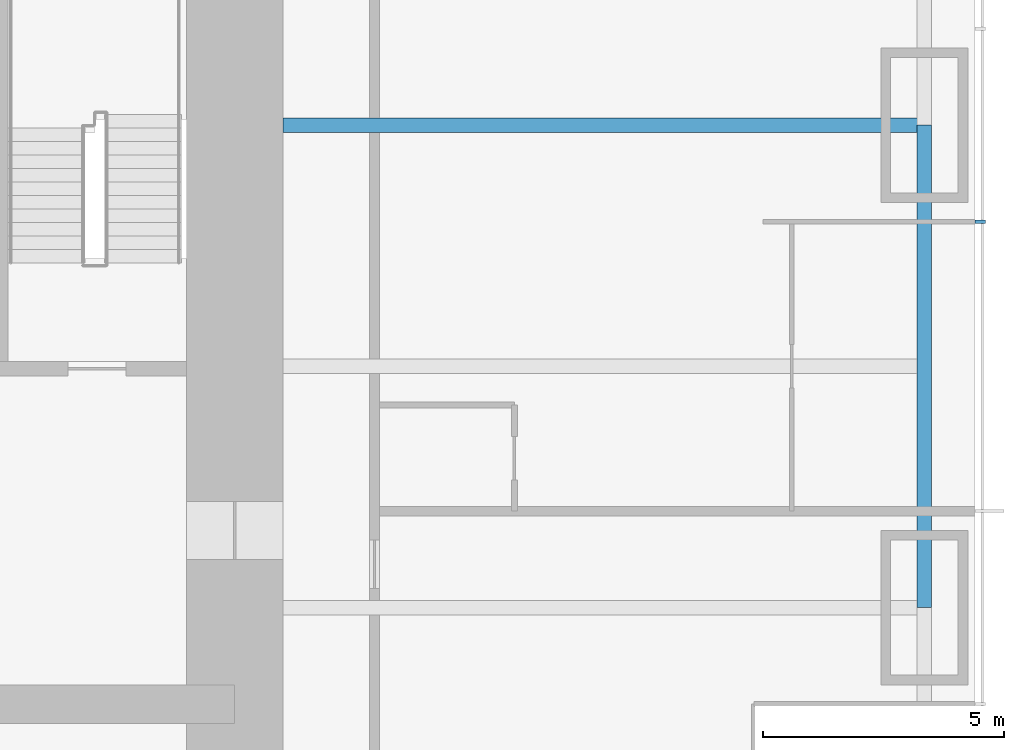
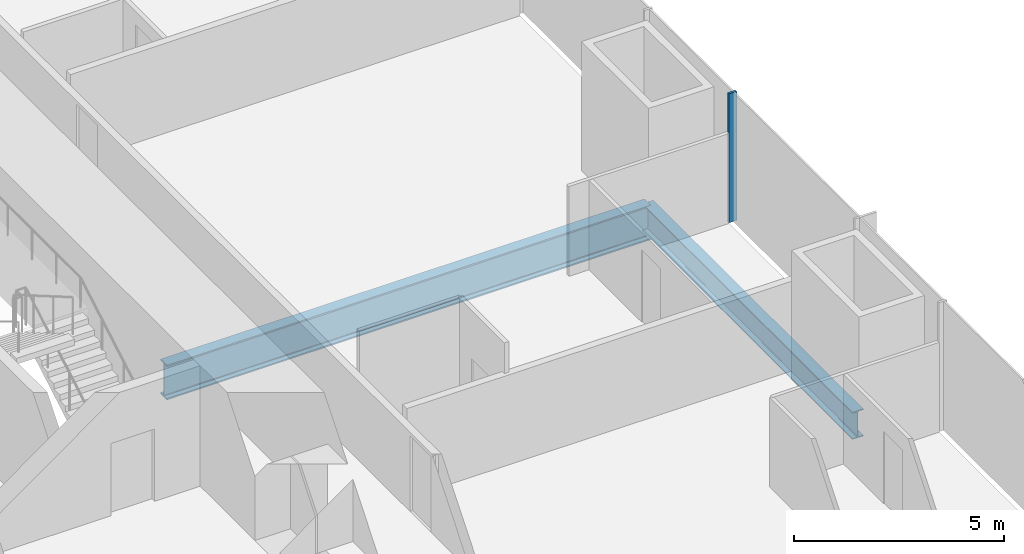
# One storey, part 5 of 17: 2 beams, 1 member, 1 element without a shape of its own.
"""IFC4 building model written with IfcOpenShell, lengths in metres."""

import ifcopenshell
import ifcopenshell.guid

model = None  # the IFC model being written
_history = None  # IfcOwnerHistory: only IFC2X3 demands one
_inside = {}  # id of a spatial element -> (the spatial element, [elements in it])
_under = {}  # id of a project, library or spatial element -> (it, [spatial elements below it])
_declared = {}  # id of a project -> (the project, [libraries it declares])
_typed = {}  # id of a type object -> (the type object, [elements of that type])
_made_of = {}  # id of a material, layer set ... -> (it, [elements and type objects made of it])


def new_model(schema):
    """Start an empty IFC model of exactly this schema.

    Asked for "IFC4X3", IfcOpenShell would pick the latest addendum, in which some entities
    have other attributes; the version numbers below select the first issue.
    IFC2X3 requires an IfcOwnerHistory on every rooted entity: one is made here for all.
    """
    global model, _history
    if schema == "IFC4X3":
        model = ifcopenshell.file(schema_version=(4, 3, 0, 0))
    else:
        model = ifcopenshell.file(schema=schema)
    _inside.clear()
    _under.clear()
    _declared.clear()
    _typed.clear()
    _made_of.clear()
    _history = None
    if model.schema == "IFC2X3":
        org = make("IfcOrganization", Name="unknown")
        user = make(
            "IfcPersonAndOrganization",
            ThePerson=make("IfcPerson", FamilyName="unknown"),
            TheOrganization=org,
        )
        app = make(
            "IfcApplication",
            ApplicationDeveloper=org,
            Version="unknown",
            ApplicationFullName="unknown",
            ApplicationIdentifier="unknown",
        )
        _history = make(
            "IfcOwnerHistory",
            OwningUser=user,
            OwningApplication=app,
            ChangeAction="ADDED",
            CreationDate=0,
        )
    return model


def make(cls, **values):
    """One entity of the class cls with the attributes given. An attribute that is None is left unset."""
    return model.create_entity(
        cls, **{name: value for name, value in values.items() if value is not None}
    )


def rooted(cls, **values):
    """An entity with a GlobalId (a new one), such as an element, a storey or a relation."""
    return make(cls, GlobalId=ifcopenshell.guid.new(), OwnerHistory=_history, **values)


def si_unit(unit_type, name, prefix=None):
    """IfcSIUnit, for example si_unit("LENGTHUNIT", "METRE", prefix="MILLI")."""
    return make("IfcSIUnit", UnitType=unit_type, Prefix=prefix, Name=name)


def assignment(units):
    """IfcUnitAssignment: the units of a project."""
    return None if units is None else make("IfcUnitAssignment", Units=units)


def point(xyz):
    """IfcCartesianPoint."""
    return None if xyz is None else make("IfcCartesianPoint", Coordinates=xyz)


def direction(xyz):
    """IfcDirection."""
    return None if xyz is None else make("IfcDirection", DirectionRatios=xyz)


def frame(location, z_axis=None, x_axis=None):
    """IfcAxis2Placement3D, a coordinate frame: its origin and axes. An axis left out is left unset."""
    return make(
        "IfcAxis2Placement3D",
        Location=point(location),
        Axis=direction(z_axis),
        RefDirection=direction(x_axis),
    )


def frame_2d(location, x_axis=None):
    """IfcAxis2Placement2D, a coordinate frame in the plane: its origin and x axis."""
    return make(
        "IfcAxis2Placement2D", Location=point(location), RefDirection=direction(x_axis)
    )


def origin():
    """The frame at (0, 0, 0) with its axes left unset."""
    return frame((0.0, 0.0, 0.0))


def origin_2d():
    """The frame at (0, 0) in the plane with its x axis left unset."""
    return frame_2d((0.0, 0.0))


def place(relative_to, where):
    """IfcLocalPlacement: puts the frame where relative to a parent placement (None: the world)."""
    return make(
        "IfcLocalPlacement", PlacementRelTo=relative_to, RelativePlacement=where
    )


def context(
    kind, dimensions, precision=None, world=None, true_north=None, identifier=None
):
    """IfcGeometricRepresentationContext, for example the 3D "Model" context."""
    return make(
        "IfcGeometricRepresentationContext",
        ContextIdentifier=identifier,
        ContextType=kind,
        CoordinateSpaceDimension=dimensions,
        Precision=precision,
        WorldCoordinateSystem=world,
        TrueNorth=true_north,
    )


def subcontext(parent, identifier, kind, view, scale=None):
    """IfcGeometricRepresentationSubContext, for example "Body" below "Model"."""
    return make(
        "IfcGeometricRepresentationSubContext",
        ContextIdentifier=identifier,
        ContextType=kind,
        ParentContext=parent,
        TargetScale=scale,
        TargetView=view,
    )


def project(units=None, contexts=None):
    """IfcProject with its units and contexts."""
    return rooted(
        "IfcProject",
        Name="project",
        RepresentationContexts=contexts,
        UnitsInContext=assignment(units),
    )


def spatial(cls, under=None, at=None, **own):
    """A site, building, storey or space (cls), placed at a placement, below another one or the project."""
    s = rooted(cls, ObjectPlacement=at, **own)
    if under is not None:
        _under.setdefault(under.id(), (under, []))[1].append(s)
    return s


def profile(cls, at=None, kind="AREA", **sizes):
    """A parametric profile (cls). Its sizes go by their IFC names, for example OverallWidth=200.0."""
    return make(cls, ProfileType=kind, Position=at, **sizes)


def rectangle(**sizes):
    """IfcRectangleProfileDef."""
    return profile("IfcRectangleProfileDef", **sizes)


def i_section(**sizes):
    """IfcIShapeProfileDef."""
    return profile("IfcIShapeProfileDef", **sizes)


def extrude(swept, where, along, depth):
    """IfcExtrudedAreaSolid: the profile swept, set in the frame where, extruded along a direction by depth."""
    return make(
        "IfcExtrudedAreaSolid",
        SweptArea=swept,
        Position=where,
        ExtrudedDirection=direction(along),
        Depth=depth,
    )


def shape(context_of_items, identifier, shape_type, items):
    """IfcShapeRepresentation: the items that make up one representation, for example the "Body"."""
    return make(
        "IfcShapeRepresentation",
        ContextOfItems=context_of_items,
        RepresentationIdentifier=identifier,
        RepresentationType=shape_type,
        Items=items,
    )


def material(Name=None, Category=None):
    """IfcMaterial."""
    return make("IfcMaterial", Name=Name, Category=Category)


def material_profile(
    of_material, cross_section, Name=None, Category=None, Priority=None
):
    """IfcMaterialProfile: a cross section and its material."""
    return make(
        "IfcMaterialProfile",
        Name=Name,
        Material=of_material,
        Profile=cross_section,
        Priority=Priority,
        Category=Category,
    )


def profile_set(profiles, Name=None, composite=None):
    """IfcMaterialProfileSet."""
    return make(
        "IfcMaterialProfileSet",
        Name=Name,
        MaterialProfiles=profiles,
        CompositeProfile=composite,
    )


def made_of(thing, what):
    """Note that an element or type object is made of a material, layer set ...; save() writes the relation."""
    if what is not None:
        _made_of.setdefault(what.id(), (what, []))[1].append(thing)
    return thing


def type_object(cls, material=None, **own):
    """A type object (cls), such as IfcWallType, which elements share."""
    return made_of(rooted(cls, **own), material)


def element(
    cls,
    number,
    at=None,
    inside=None,
    cuts=None,
    type_object=None,
    material=None,
    context=None,
    identifier="Body",
    shape_type=None,
    held_by="IfcProductDefinitionShape",
    body=None,
    shapes=None,
    **own,
):
    """One element of the class cls, such as IfcWall. Its Tag is "e" and its number.

    at: its placement. inside: the storey or other place that contains it. cuts: it is an
    opening in that element (IfcRelVoidsElement). A single representation is given by context,
    identifier, shape_type and body (its items); several are given by shapes. held_by: the class
    of the entity that holds the representations. save() writes the other relations.
    """
    e = rooted(cls, Tag="e%d" % number, ObjectPlacement=at, **own)
    if body is not None:
        shapes = [shape(context, identifier, shape_type, body)]
    if shapes is not None:
        e.Representation = make(held_by, Representations=shapes)
    if inside is not None:
        _inside.setdefault(inside.id(), (inside, []))[1].append(e)
    if cuts is not None:
        rooted(
            "IfcRelVoidsElement", RelatingBuildingElement=cuts, RelatedOpeningElement=e
        )
    if type_object is not None:
        _typed.setdefault(type_object.id(), (type_object, []))[1].append(e)
    return made_of(e, material)


def aggregate(whole, parts):
    """IfcRelAggregates: a whole, such as a stair, and the parts it consists of."""
    return rooted("IfcRelAggregates", RelatingObject=whole, RelatedObjects=parts)


def save(model, path):
    """Write the relations noted so far, then the file.

    IfcRelAggregates (storeys below a building ...), IfcRelContainedInSpatialStructure (elements
    in a storey), IfcRelDefinesByType, IfcRelAssociatesMaterial and IfcRelDeclares: one each for
    every whole, place, type object, material and project.
    """
    for whole, parts in _under.values():
        aggregate(whole, parts)
    for where, things in _inside.values():
        rooted(
            "IfcRelContainedInSpatialStructure",
            RelatedElements=things,
            RelatingStructure=where,
        )
    for kind, things in _typed.values():
        rooted("IfcRelDefinesByType", RelatedObjects=things, RelatingType=kind)
    for what, things in _made_of.values():
        rooted("IfcRelAssociatesMaterial", RelatedObjects=things, RelatingMaterial=what)
    for by, libraries in _declared.values():
        rooted("IfcRelDeclares", RelatingContext=by, RelatedDefinitions=libraries)
    model.write(path)


model = new_model("IFC4")

# Units and contexts
model_context = context("Model", 3, precision=1e-05, world=origin(), true_north=direction((0.0, 1.0)))
body_context = subcontext(model_context, "Body", "Model", "MODEL_VIEW")
ifc_project = project(units=[si_unit("LENGTHUNIT", "METRE"), si_unit("AREAUNIT", "SQUARE_METRE"), si_unit("VOLUMEUNIT", "CUBIC_METRE"), si_unit("PLANEANGLEUNIT", "RADIAN"), si_unit("MASSUNIT", "GRAM", prefix="KILO")], contexts=[model_context])

# Site, building, storey
site_placement = place(None, origin())
site = spatial("IfcSite", under=ifc_project, at=site_placement, CompositionType="ELEMENT")
building_placement = place(site_placement, origin())
building = spatial("IfcBuilding", under=site, at=building_placement, Name="Khuree Lantern Residences", CompositionType="ELEMENT")
storey_placement = place(building_placement, frame((0.0, 0.0, 92.25)))
storey = spatial("IfcBuildingStorey", under=building, at=storey_placement, Name="L23", CompositionType="ELEMENT", Elevation=92.25)

# Beams
ifc_material_1 = material(Name="Steel S355", Category="steel")
ifc_material_profile_1 = material_profile(ifc_material_1, i_section(OverallWidth=0.300048828125, OverallDepth=0.7900390625, WebThickness=0.014892578125, FlangeThickness=0.028076171875, FilletRadius=0.030029296875, at=origin_2d()), Name="HE 800 A")
ifc_profile_set_1 = profile_set([ifc_material_profile_1], Name="Steel S355")
beam_type_1 = type_object("IfcBeamType", Name="E-15 SPANDREL BEAM HE 800 A", PredefinedType="SPANDREL", material=ifc_profile_set_1)
beam_1_placement = place(storey_placement, frame((29.800048828125, 0.0, -0.64501953125), z_axis=(0.0, -1.0, 0.0), x_axis=(1.0, 0.0, 0.0)))
element("IfcBeam", 1, at=beam_1_placement, inside=storey, type_object=beam_type_1, Name="Spandrel beam E4", PredefinedType="SPANDREL", context=body_context, shape_type="SweptSolid", body=[
    extrude(i_section(OverallWidth=0.300048828125, OverallDepth=0.7900390625, WebThickness=0.014892578125, FlangeThickness=0.028076171875, FilletRadius=0.030029296875, at=origin_2d()), origin(), (0.0, 0.0, 1.0), 10.0),
])
ifc_material_profile_2 = material_profile(ifc_material_1, i_section(OverallWidth=0.302001953125, OverallDepth=1.008056640625, WebThickness=0.02099609375, FlangeThickness=0.0400390625, FilletRadius=0.030029296875, at=origin_2d()), Name="HE 1000 M")
ifc_profile_set_2 = profile_set([ifc_material_profile_2], Name="Steel S355")
beam_type_2 = type_object("IfcBeamType", Name="G-15 GIRDER HE 1000 M", PredefinedType="BEAM", material=ifc_profile_set_2)
beam_2_placement = place(storey_placement, frame((29.800048828125, 0.0, -0.75390625), z_axis=(-1.0, 0.0, 0.0), x_axis=(0.0, -1.0, 0.0)))
element("IfcBeam", 2, at=beam_2_placement, inside=storey, type_object=beam_type_2, Name="Girder E3", PredefinedType="BEAM", context=body_context, shape_type="SweptSolid", body=[
    extrude(i_section(OverallWidth=0.302001953125, OverallDepth=1.008056640625, WebThickness=0.02099609375, FlangeThickness=0.0400390625, FilletRadius=0.030029296875, at=origin_2d()), origin(), (0.0, 0.0, 1.0), 13.300048828125),
])

# Curtain wall, member
ifc_material_2 = material(Name="Bronze anodised aluminium", Category="aluminium")
curtain_wall_type = type_object("IfcCurtainWallType", Name="CW-T1 TOWER FACE CURTAIN WALL", PredefinedType="USERDEFINED", material=ifc_material_2)
curtain_wall_placement = place(storey_placement, origin())
curtain_wall = element("IfcCurtainWall", 3, at=curtain_wall_placement, inside=storey, type_object=curtain_wall_type, Name="L23 EAST FACE CURTAIN WALL", ObjectType="Stick-built curtain wall", PredefinedType="USERDEFINED")
ifc_material_profile_3 = material_profile(ifc_material_2, rectangle(XDim=0.06494140625, YDim=0.219970703125, at=origin_2d()), Name="M1 65X220")
ifc_profile_set_3 = profile_set([ifc_material_profile_3], Name="Bronze anodised aluminium")
member_type = type_object("IfcMemberType", Name="M1 BRONZE MULLION TOWER 65X220", PredefinedType="MULLION", material=ifc_profile_set_3)
member_placement = place(storey_placement, frame((30.9599609375, -2.0, 0.0), z_axis=(0.0, 0.0, 1.0), x_axis=(0.0, 1.0, 0.0)))
member = element("IfcMember", 4, at=member_placement, type_object=member_type, Name="L23 EAST FACE MULLION 9", PredefinedType="MULLION", context=body_context, shape_type="SweptSolid", body=[
    extrude(rectangle(XDim=0.06494140625, YDim=0.219970703125, at=origin_2d()), origin(), (0.0, 0.0, 1.0), 3.75),
])
aggregate(curtain_wall, [member])

save(model, "model.ifc")
